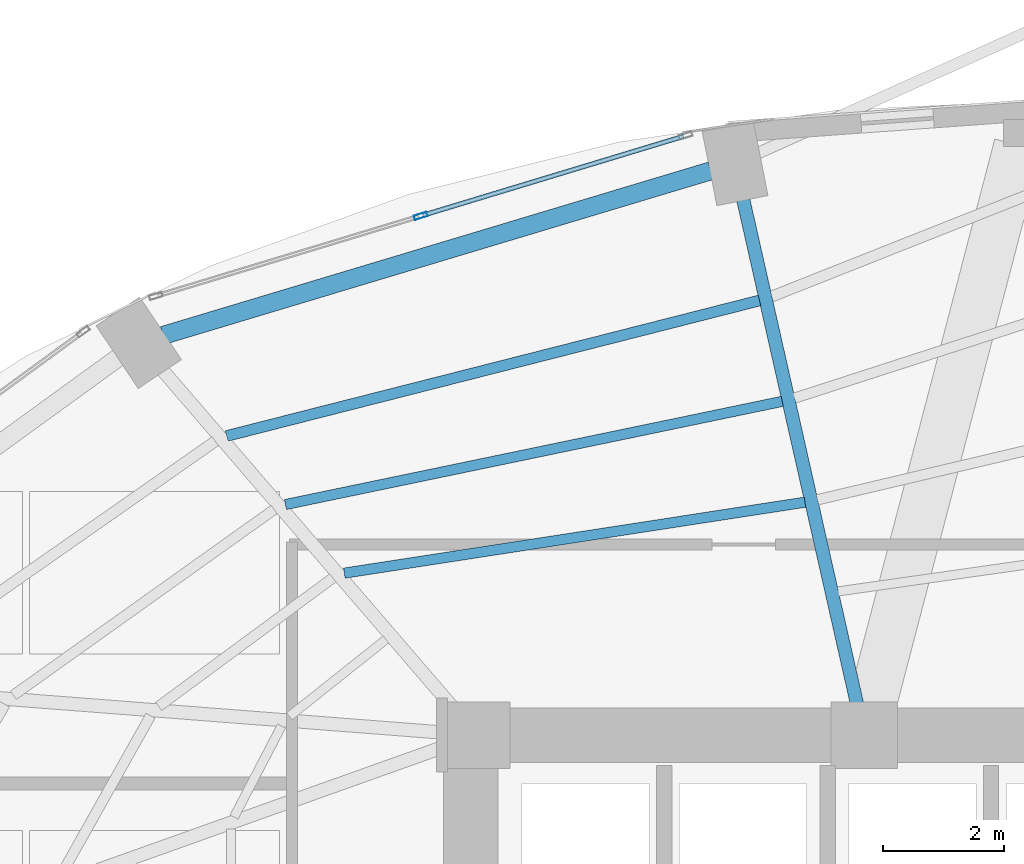
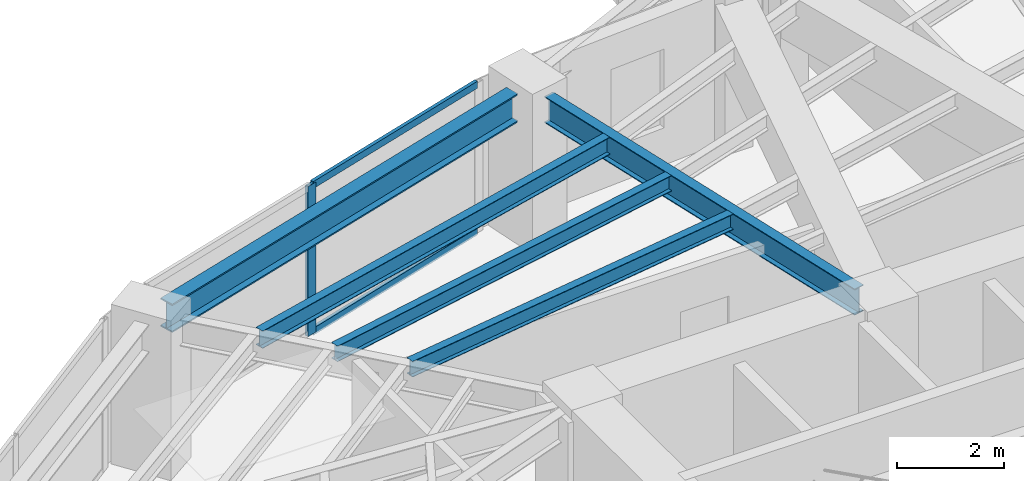
# One storey, part 14 of 24: 5 beams, 3 members, 1 element without a shape of its own.
"""IFC4 building model written with IfcOpenShell, lengths in metres."""

from ifc_helpers import new_model, si_unit, direction, frame, origin, origin_2d, place, context, subcontext, project, spatial, hollow_rectangle, i_section, extrude, material, layer, layer_set, material_profile, profile_set, type_object, element, aggregate, save


model = new_model("IFC4")

# Units and contexts
model_context = context("Model", 3, precision=1e-05, world=origin(), true_north=direction((0.0, 1.0)))
body_context = subcontext(model_context, "Body", "Model", "MODEL_VIEW")
ifc_project = project(units=[si_unit("LENGTHUNIT", "METRE"), si_unit("AREAUNIT", "SQUARE_METRE"), si_unit("VOLUMEUNIT", "CUBIC_METRE"), si_unit("PLANEANGLEUNIT", "RADIAN"), si_unit("MASSUNIT", "GRAM", prefix="KILO")], contexts=[model_context])

# Site, building, storey
site_placement = place(None, origin())
site = spatial("IfcSite", under=ifc_project, at=site_placement, CompositionType="ELEMENT")
building_placement = place(site_placement, origin())
building = spatial("IfcBuilding", under=site, at=building_placement, Name="Lazwardi Medical Tower", CompositionType="ELEMENT")
storey_placement = place(building_placement, frame((0.0, 0.0, 61.679931640625)))
storey = spatial("IfcBuildingStorey", under=building, at=storey_placement, Name="L15", CompositionType="ELEMENT", Elevation=61.679931640625)

# Beams
ifc_material_1 = material(Name="Steel S355", Category="steel")
ifc_material_profile_1 = material_profile(ifc_material_1, i_section(OverallWidth=0.300048828125, OverallDepth=0.64990234375, WebThickness=0.01611328125, FlangeThickness=0.031005859375, at=origin_2d()), Name="HEB 650")
ifc_profile_set_1 = profile_set([ifc_material_profile_1], Name="Steel S355")
beam_type_1 = type_object("IfcBeamType", Name="BM-RB-Z1", PredefinedType="BEAM", material=ifc_profile_set_1)
beam_1_placement = place(storey_placement, frame((30.26708984375, 44.923095703125, 3.10302734375), z_axis=(-0.957695289269, -0.287784177662, 0.0), x_axis=(0.287784177662, -0.957695289269, 0.0)))
element("IfcBeam", 1, at=beam_1_placement, inside=storey, type_object=beam_type_1, Name="Ring beam RB-02 B09 L15", PredefinedType="BEAM", context=body_context, shape_type="SweptSolid", body=[
    extrude(i_section(OverallWidth=0.300048828125, OverallDepth=0.64990234375, WebThickness=0.01611328125, FlangeThickness=0.031005859375, at=origin_2d()), origin(), (0.0, 0.0, 1.0), 9.445556640625),
])
ifc_material_profile_2 = material_profile(ifc_material_1, i_section(OverallWidth=0.219970703125, OverallDepth=0.60009765625, WebThickness=0.011962890625, FlangeThickness=0.01904296875, at=origin_2d()), Name="IPE 600")
ifc_profile_set_2 = profile_set([ifc_material_profile_2], Name="Steel S355")
beam_type_2 = type_object("IfcBeamType", Name="BM-RG-W1", PredefinedType="BEAM", material=ifc_profile_set_2)
beam_2_placement = place(storey_placement, frame((30.796875, 44.478271484375, 3.128173828125), z_axis=(0.22010079219, -0.975477135189, 0.0), x_axis=(0.975477135189, 0.22010079219, 0.0)))
element("IfcBeam", 2, at=beam_2_placement, inside=storey, type_object=beam_type_2, Name="Radial girder RG-02 R09 L15", PredefinedType="BEAM", context=body_context, shape_type="SweptSolid", body=[
    extrude(i_section(OverallWidth=0.219970703125, OverallDepth=0.60009765625, WebThickness=0.011962890625, FlangeThickness=0.01904296875, at=origin_2d()), origin(), (0.0, 0.0, 1.0), 8.56640625),
])
ifc_material_profile_3 = material_profile(ifc_material_1, i_section(OverallWidth=0.179931640625, OverallDepth=0.39990234375, WebThickness=0.008544921875, FlangeThickness=0.013427734375, at=origin_2d()), Name="IPE 400")
ifc_profile_set_3 = profile_set([ifc_material_profile_3], Name="Steel S355")
beam_type_3 = type_object("IfcBeamType", Name="BM-SJ-01", PredefinedType="JOIST", material=ifc_profile_set_3)
beam_3_placement = place(storey_placement, frame((31.072265625, 42.781005859375, 3.22802734375), z_axis=(-0.969151012048, -0.246467677081, 0.0), x_axis=(0.246467677081, -0.969151012048, 0.0)))
element("IfcBeam", 3, at=beam_3_placement, inside=storey, type_object=beam_type_3, Name="Secondary joist SJ-01 R1 B09 L15", PredefinedType="JOIST", context=body_context, shape_type="SweptSolid", body=[
    extrude(i_section(OverallWidth=0.179931640625, OverallDepth=0.39990234375, WebThickness=0.008544921875, FlangeThickness=0.013427734375, at=origin_2d()), origin(), (0.0, 0.0, 1.0), 9.08251953125),
])
ifc_material_profile_4 = material_profile(ifc_material_1, i_section(OverallWidth=0.169921875, OverallDepth=0.360107421875, WebThickness=0.008056640625, FlangeThickness=0.0126953125, at=origin_2d()), Name="IPE 360")
ifc_profile_set_4 = profile_set([ifc_material_profile_4], Name="Steel S355")
beam_type_4 = type_object("IfcBeamType", Name="BM-SJ-02", PredefinedType="JOIST", material=ifc_profile_set_4)
beam_4_placement = place(storey_placement, frame((31.4482421875, 41.114501953125, 3.248046875), z_axis=(-0.979107693723, -0.203342381445, 0.0), x_axis=(0.203342381445, -0.979107693723, 0.0)))
element("IfcBeam", 4, at=beam_4_placement, inside=storey, type_object=beam_type_4, Name="Secondary joist SJ-02 R2 B09 L15", PredefinedType="JOIST", context=body_context, shape_type="SweptSolid", body=[
    extrude(i_section(OverallWidth=0.169921875, OverallDepth=0.360107421875, WebThickness=0.008056640625, FlangeThickness=0.0126953125, at=origin_2d()), origin(), (0.0, 0.0, 1.0), 8.381591796875),
])
beam_5_placement = place(storey_placement, frame((31.824462890625, 39.448486328125, 3.248046875), z_axis=(-0.988362899594, -0.152114360618, 0.0), x_axis=(0.152114360618, -0.988362899594, 0.0)))
element("IfcBeam", 5, at=beam_5_placement, inside=storey, type_object=beam_type_4, Name="Secondary joist SJ-02 R3 B09 L15", PredefinedType="JOIST", context=body_context, shape_type="SweptSolid", body=[
    extrude(i_section(OverallWidth=0.169921875, OverallDepth=0.360107421875, WebThickness=0.008056640625, FlangeThickness=0.0126953125, at=origin_2d()), origin(), (0.0, 0.0, 1.0), 7.70068359375),
])

# Curtain wall, members
ifc_material_2 = material(Name="Anodised bronze aluminium and solar control glazing", Category="aluminium")
ifc_layer = layer(ifc_material_2, 0.199951171875)
ifc_layer_set = layer_set([ifc_layer], Name="Anodised bronze aluminium and solar control glazing")
curtain_wall_type = type_object("IfcCurtainWallType", Name="CW-SYS-02", PredefinedType="NOTDEFINED", material=ifc_layer_set)
curtain_wall_placement = place(storey_placement, origin())
curtain_wall = element("IfcCurtainWall", 6, at=curtain_wall_placement, inside=storey, type_object=curtain_wall_type, Name="L15 Unitised bronze curtain wall CW-02", PredefinedType="NOTDEFINED")
ifc_material_3 = material(Name="Anodised bronze aluminium", Category="aluminium")
ifc_material_profile_5 = material_profile(ifc_material_3, hollow_rectangle(XDim=0.074951171875, YDim=0.219970703125, WallThickness=0.00390625, at=origin_2d()), Name="ALU-MULLION 220x75x4")
ifc_profile_set_5 = profile_set([ifc_material_profile_5], Name="Anodised bronze aluminium")
member_type_1 = type_object("IfcMemberType", Name="CW-MUL-01", PredefinedType="MULLION", material=ifc_profile_set_5)
member_1_placement = place(storey_placement, frame((25.476806640625, 44.178466796875, 0.0), z_axis=(0.0, 0.0, 1.0), x_axis=(0.2898956909, -0.957058247129, 0.0)))
member_1 = element("IfcMember", 7, at=member_1_placement, type_object=member_type_1, Name="CW-02 mullion 2", PredefinedType="MULLION", context=body_context, shape_type="SweptSolid", body=[
    extrude(hollow_rectangle(XDim=0.074951171875, YDim=0.219970703125, WallThickness=0.00390625, at=origin_2d()), origin(), (0.0, 0.0, 1.0), 3.427978515625),
])
ifc_material_profile_6 = material_profile(ifc_material_3, hollow_rectangle(XDim=0.074951171875, YDim=0.159912109375, WallThickness=0.00390625, at=origin_2d()), Name="ALU-TRANSOM 160x75x4")
ifc_profile_set_6 = profile_set([ifc_material_profile_6], Name="Anodised bronze aluminium")
member_type_2 = type_object("IfcMemberType", Name="CW-TRN-01", PredefinedType="USERDEFINED", material=ifc_profile_set_6)
member_2_placement = place(storey_placement, frame((29.816162109375, 45.492919921875, 0.03759765625), z_axis=(-0.957047233423, -0.28993204893, 0.0), x_axis=(0.28993204893, -0.957047233423, 0.0)))
member_2 = element("IfcMember", 8, at=member_2_placement, type_object=member_type_2, Name="CW-02 transom 1.1", ObjectType="TRANSOM", PredefinedType="USERDEFINED", context=body_context, shape_type="SweptSolid", body=[
    extrude(hollow_rectangle(XDim=0.074951171875, YDim=0.159912109375, WallThickness=0.00390625, at=origin_2d()), origin(), (0.0, 0.0, 1.0), 4.49658203125),
])
member_3_placement = place(storey_placement, frame((29.816162109375, 45.492919921875, 3.390625), z_axis=(-0.957047233423, -0.28993204893, 0.0), x_axis=(0.28993204893, -0.957047233423, 0.0)))
member_3 = element("IfcMember", 9, at=member_3_placement, type_object=member_type_2, Name="CW-02 transom 1.2", ObjectType="TRANSOM", PredefinedType="USERDEFINED", context=body_context, shape_type="SweptSolid", body=[
    extrude(hollow_rectangle(XDim=0.074951171875, YDim=0.159912109375, WallThickness=0.00390625, at=origin_2d()), origin(), (0.0, 0.0, 1.0), 4.49658203125),
])
aggregate(curtain_wall, [member_1, member_2, member_3])

save(model, "model.ifc")
